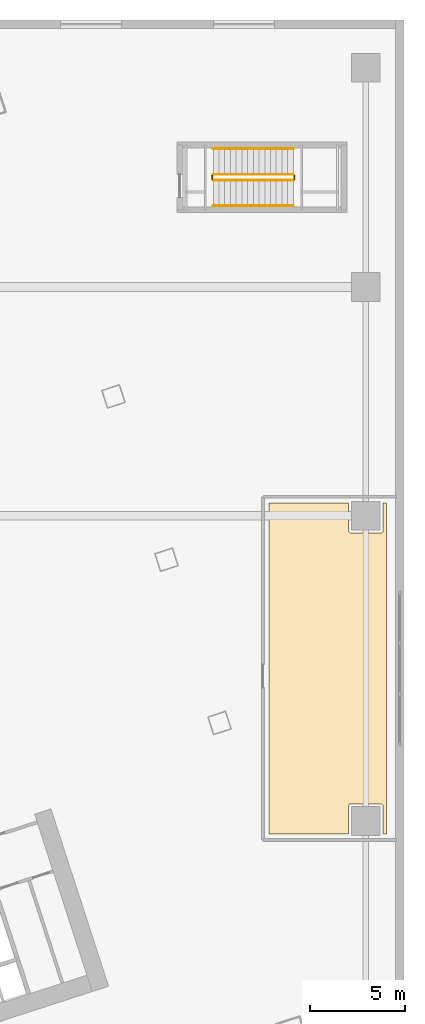
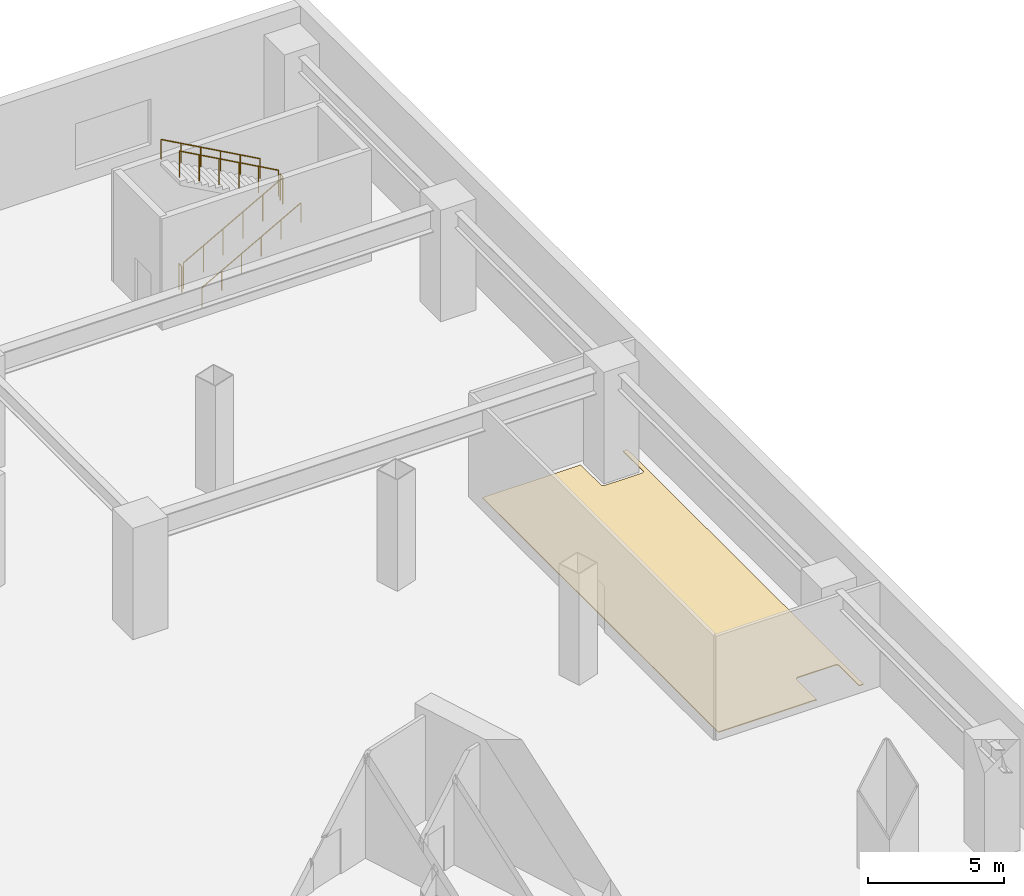
# One storey, part 35 of 35: 6 railings, 1 covering.
"""IFC4 building model written with IfcOpenShell, lengths in metres."""

from ifc_helpers import new_model, si_unit, direction, frame, origin, origin_2d, place, context, subcontext, project, spatial, polyline, circle, outline, extrude, material, layer, layer_set, type_object, element, save


model = new_model("IFC4")

# Units and contexts
model_context = context("Model", 3, precision=1e-05, world=origin(), true_north=direction((0.0, 1.0)))
body_context = subcontext(model_context, "Body", "Model", "MODEL_VIEW")
ifc_project = project(units=[si_unit("LENGTHUNIT", "METRE"), si_unit("AREAUNIT", "SQUARE_METRE"), si_unit("VOLUMEUNIT", "CUBIC_METRE"), si_unit("PLANEANGLEUNIT", "RADIAN"), si_unit("MASSUNIT", "GRAM", prefix="KILO")], contexts=[model_context])

# Site, building, storey
site_placement = place(None, origin())
site = spatial("IfcSite", under=ifc_project, at=site_placement, CompositionType="ELEMENT")
building_placement = place(site_placement, origin())
building = spatial("IfcBuilding", under=site, at=building_placement, Name="Qiaolan Cultural Towers", CompositionType="ELEMENT")
storey_placement = place(building_placement, frame((0.0, 0.0, 11.5)))
storey = spatial("IfcBuildingStorey", under=building, at=storey_placement, Name="L02", CompositionType="ELEMENT", Elevation=11.5)

# Covering
ifc_material_1 = material(Name="Honed Terrazzo & Raised Access Flooring", Category="concrete")
ifc_layer = layer(ifc_material_1, 0.0400390625)
ifc_layer_set = layer_set([ifc_layer], Name="Honed Terrazzo & Raised Access Flooring")
covering_type = type_object("IfcCoveringType", Name="COV-FLR-STONE", PredefinedType="FLOORING", material=ifc_layer_set)
covering_placement = place(storey_placement, origin())
element("IfcCovering", 1, at=covering_placement, inside=storey, type_object=covering_type, Name="L02 L02 Curatorial & Museum Administration Office Finish Flooring", PredefinedType="FLOORING", context=body_context, shape_type="SweptSolid", body=[
    extrude(outline(polyline([(117.10009765625, 26.780029296875), (117.1005859375, 26.791748046875), (117.102294921875, 26.803466796875), (117.105224609375, 26.81494140625), (117.109130859375, 26.825927734375), (117.1142578125, 26.836669921875), (117.1201171875, 26.8466796875), (117.127197265625, 26.856201171875), (117.13525390625, 26.86474609375), (117.143798828125, 26.872802734375), (117.1533203125, 26.8798828125), (117.163330078125, 26.8857421875), (117.174072265625, 26.890869140625), (117.18505859375, 26.894775390625), (117.196533203125, 26.897705078125), (117.208251953125, 26.8994140625), (117.219970703125, 26.89990234375), (118.780029296875, 26.89990234375), (118.791748046875, 26.8994140625), (118.803466796875, 26.897705078125), (118.81494140625, 26.894775390625), (118.825927734375, 26.890869140625), (118.836669921875, 26.8857421875), (118.8466796875, 26.8798828125), (118.856201171875, 26.872802734375), (118.86474609375, 26.86474609375), (118.872802734375, 26.856201171875), (118.8798828125, 26.8466796875), (118.8857421875, 26.836669921875), (118.890869140625, 26.825927734375), (118.894775390625, 26.81494140625), (118.897705078125, 26.803466796875), (118.8994140625, 26.791748046875), (118.89990234375, 26.780029296875), (118.89990234375, 25.320068359375), (119.080078125, 25.320068359375), (119.080078125, 42.679931640625), (118.89990234375, 42.679931640625), (118.89990234375, 41.219970703125), (118.8994140625, 41.208251953125), (118.897705078125, 41.196533203125), (118.894775390625, 41.18505859375), (118.890869140625, 41.174072265625), (118.8857421875, 41.163330078125), (118.8798828125, 41.1533203125), (118.872802734375, 41.143798828125), (118.86474609375, 41.13525390625), (118.856201171875, 41.127197265625), (118.8466796875, 41.1201171875), (118.836669921875, 41.1142578125), (118.825927734375, 41.109130859375), (118.81494140625, 41.105224609375), (118.803466796875, 41.102294921875), (118.791748046875, 41.1005859375), (118.780029296875, 41.10009765625), (117.219970703125, 41.10009765625), (117.208251953125, 41.1005859375), (117.196533203125, 41.102294921875), (117.18505859375, 41.105224609375), (117.174072265625, 41.109130859375), (117.163330078125, 41.1142578125), (117.1533203125, 41.1201171875), (117.143798828125, 41.127197265625), (117.13525390625, 41.13525390625), (117.127197265625, 41.143798828125), (117.1201171875, 41.1533203125), (117.1142578125, 41.163330078125), (117.109130859375, 41.174072265625), (117.105224609375, 41.18505859375), (117.102294921875, 41.196533203125), (117.1005859375, 41.208251953125), (117.10009765625, 41.219970703125), (117.10009765625, 42.679931640625), (112.919921875, 42.679931640625), (112.919921875, 25.320068359375), (117.10009765625, 25.320068359375), (117.10009765625, 26.780029296875)])), origin(), (0.0, 0.0, 1.0), 0.0400390625),
])

# Railings
ifc_material_2 = material(Name="Galvanized Painted Steel Stair Guardrail", Category="steel")
railing_type_1 = type_object("IfcRailingType", Name="RL-STAIR-GRD", PredefinedType="GUARDRAIL", material=ifc_material_2)
railing_1_placement = place(storey_placement, frame((110.0, 59.60009765625, 0.166748046875)))
element("IfcRailing", 2, at=railing_1_placement, inside=storey, type_object=railing_type_1, Name="L02 ST-P2 stair guard 1", PredefinedType="GUARDRAIL", context=body_context, shape_type="SweptSolid", body=[
    extrude(circle(Radius=0.02392578125, at=origin_2d()), frame((0.0, 0.0, 1.17578125), z_axis=(0.874162069901, 0.0, 0.485634302275), x_axis=(0.0, 1.0, 0.0)), (0.0, 0.0, 1.0), 4.804443359375),
    extrude(circle(Radius=0.02099609375, at=origin_2d()), origin(), (0.0, 0.0, 1.0), 1.15185546875),
    extrude(circle(Radius=0.02099609375, at=origin_2d()), frame((0.840087890625, 0.0, 0.466552734375)), (0.0, 0.0, 1.0), 1.15185546875),
    extrude(circle(Radius=0.02099609375, at=origin_2d()), frame((1.679931640625, 0.0, 0.933349609375)), (0.0, 0.0, 1.0), 1.15185546875),
    extrude(circle(Radius=0.02099609375, at=origin_2d()), frame((2.52001953125, 0.0, 1.39990234375)), (0.0, 0.0, 1.0), 1.15185546875),
    extrude(circle(Radius=0.02099609375, at=origin_2d()), frame((3.35986328125, 0.0, 1.86669921875)), (0.0, 0.0, 1.0), 1.15185546875),
    extrude(circle(Radius=0.02099609375, at=origin_2d()), frame((4.199951171875, 0.0, 2.333251953125)), (0.0, 0.0, 1.0), 1.15185546875),
])
railing_2_placement = place(storey_placement, frame((114.25, 59.64990234375, 2.5)))
element("IfcRailing", 3, at=railing_2_placement, inside=storey, type_object=railing_type_1, Name="L02 ST-P2 stair guard 2", PredefinedType="GUARDRAIL", context=body_context, shape_type="SweptSolid", body=[
    extrude(circle(Radius=0.02392578125, at=origin_2d()), frame((0.0, 0.0, 1.17578125), z_axis=(0.0, 1.0, 0.0), x_axis=(-1.0, 0.0, 0.0)), (0.0, 0.0, 1.0), 0.2001953125),
    extrude(circle(Radius=0.02099609375, at=origin_2d()), origin(), (0.0, 0.0, 1.0), 1.15185546875),
    extrude(circle(Radius=0.02099609375, at=origin_2d()), frame((0.0, 0.2001953125, 0.0)), (0.0, 0.0, 1.0), 1.15185546875),
])
railing_3_placement = place(storey_placement, frame((114.199951171875, 59.89990234375, 2.666748046875)))
element("IfcRailing", 4, at=railing_3_placement, inside=storey, type_object=railing_type_1, Name="L02 ST-P2 stair guard 3", PredefinedType="GUARDRAIL", context=body_context, shape_type="SweptSolid", body=[
    extrude(circle(Radius=0.02392578125, at=origin_2d()), frame((0.0, 0.0, 1.17578125), z_axis=(-0.874162069901, 0.0, 0.485634302275), x_axis=(0.0, -1.0, 0.0)), (0.0, 0.0, 1.0), 4.804443359375),
    extrude(circle(Radius=0.02099609375, at=origin_2d()), origin(), (0.0, 0.0, 1.0), 1.15185546875),
    extrude(circle(Radius=0.02099609375, at=origin_2d()), frame((-0.840087890625, 0.0, 0.466552734375)), (0.0, 0.0, 1.0), 1.15185546875),
    extrude(circle(Radius=0.02099609375, at=origin_2d()), frame((-1.679931640625, 0.0, 0.933349609375)), (0.0, 0.0, 1.0), 1.15185546875),
    extrude(circle(Radius=0.02099609375, at=origin_2d()), frame((-2.52001953125, 0.0, 1.39990234375)), (0.0, 0.0, 1.0), 1.15185546875),
    extrude(circle(Radius=0.02099609375, at=origin_2d()), frame((-3.35986328125, 0.0, 1.86669921875)), (0.0, 0.0, 1.0), 1.15185546875),
    extrude(circle(Radius=0.02099609375, at=origin_2d()), frame((-4.199951171875, 0.0, 2.333251953125)), (0.0, 0.0, 1.0), 1.15185546875),
])
railing_4_placement = place(storey_placement, frame((109.949951171875, 59.64990234375, 0.0)))
element("IfcRailing", 5, at=railing_4_placement, inside=storey, type_object=railing_type_1, Name="L02 ST-P2 stair guard 4", PredefinedType="GUARDRAIL", context=body_context, shape_type="SweptSolid", body=[
    extrude(circle(Radius=0.02392578125, at=origin_2d()), frame((0.0, 0.0, 1.17578125), z_axis=(0.0, 1.0, 0.0), x_axis=(-1.0, 0.0, 0.0)), (0.0, 0.0, 1.0), 0.2001953125),
    extrude(circle(Radius=0.02099609375, at=origin_2d()), origin(), (0.0, 0.0, 1.0), 1.15185546875),
    extrude(circle(Radius=0.02099609375, at=origin_2d()), frame((0.0, 0.2001953125, 0.0)), (0.0, 0.0, 1.0), 1.15185546875),
])
ifc_material_3 = material(Name="Stainless Steel S30408 Tubular Handrail", Category="steel")
railing_type_2 = type_object("IfcRailingType", Name="RL-STAIR-HR", PredefinedType="HANDRAIL", material=ifc_material_3)
railing_5_placement = place(storey_placement, frame((110.0, 58.25, 0.166748046875)))
element("IfcRailing", 6, at=railing_5_placement, inside=storey, type_object=railing_type_2, Name="L02 ST-P2 stair handrail 1", PredefinedType="HANDRAIL", context=body_context, shape_type="SweptSolid", body=[
    extrude(circle(Radius=0.02392578125, at=origin_2d()), frame((0.0, 0.0, 0.8759765625), z_axis=(0.874162069901, 0.0, 0.485634302275), x_axis=(0.0, 1.0, 0.0)), (0.0, 0.0, 1.0), 4.804443359375),
    extrude(circle(Radius=0.02099609375, at=origin_2d()), origin(), (0.0, 0.0, 1.0), 0.851806640625),
    extrude(circle(Radius=0.02099609375, at=origin_2d()), frame((0.840087890625, 0.0, 0.466552734375)), (0.0, 0.0, 1.0), 0.851806640625),
    extrude(circle(Radius=0.02099609375, at=origin_2d()), frame((1.679931640625, 0.0, 0.933349609375)), (0.0, 0.0, 1.0), 0.851806640625),
    extrude(circle(Radius=0.02099609375, at=origin_2d()), frame((2.52001953125, 0.0, 1.39990234375)), (0.0, 0.0, 1.0), 0.851806640625),
    extrude(circle(Radius=0.02099609375, at=origin_2d()), frame((3.35986328125, 0.0, 1.86669921875)), (0.0, 0.0, 1.0), 0.851806640625),
    extrude(circle(Radius=0.02099609375, at=origin_2d()), frame((4.199951171875, 0.0, 2.333251953125)), (0.0, 0.0, 1.0), 0.851806640625),
])
railing_6_placement = place(storey_placement, frame((114.199951171875, 61.25, 2.666748046875)))
element("IfcRailing", 7, at=railing_6_placement, inside=storey, type_object=railing_type_2, Name="L02 ST-P2 stair handrail 2", PredefinedType="HANDRAIL", context=body_context, shape_type="SweptSolid", body=[
    extrude(circle(Radius=0.02392578125, at=origin_2d()), frame((0.0, 0.0, 0.8759765625), z_axis=(-0.874162069901, 0.0, 0.485634302275), x_axis=(0.0, -1.0, 0.0)), (0.0, 0.0, 1.0), 4.804443359375),
    extrude(circle(Radius=0.02099609375, at=origin_2d()), origin(), (0.0, 0.0, 1.0), 0.851806640625),
    extrude(circle(Radius=0.02099609375, at=origin_2d()), frame((-0.840087890625, 0.0, 0.466552734375)), (0.0, 0.0, 1.0), 0.851806640625),
    extrude(circle(Radius=0.02099609375, at=origin_2d()), frame((-1.679931640625, 0.0, 0.933349609375)), (0.0, 0.0, 1.0), 0.851806640625),
    extrude(circle(Radius=0.02099609375, at=origin_2d()), frame((-2.52001953125, 0.0, 1.39990234375)), (0.0, 0.0, 1.0), 0.851806640625),
    extrude(circle(Radius=0.02099609375, at=origin_2d()), frame((-3.35986328125, 0.0, 1.86669921875)), (0.0, 0.0, 1.0), 0.851806640625),
    extrude(circle(Radius=0.02099609375, at=origin_2d()), frame((-4.199951171875, 0.0, 2.333251953125)), (0.0, 0.0, 1.0), 0.851806640625),
])

save(model, "model.ifc")
